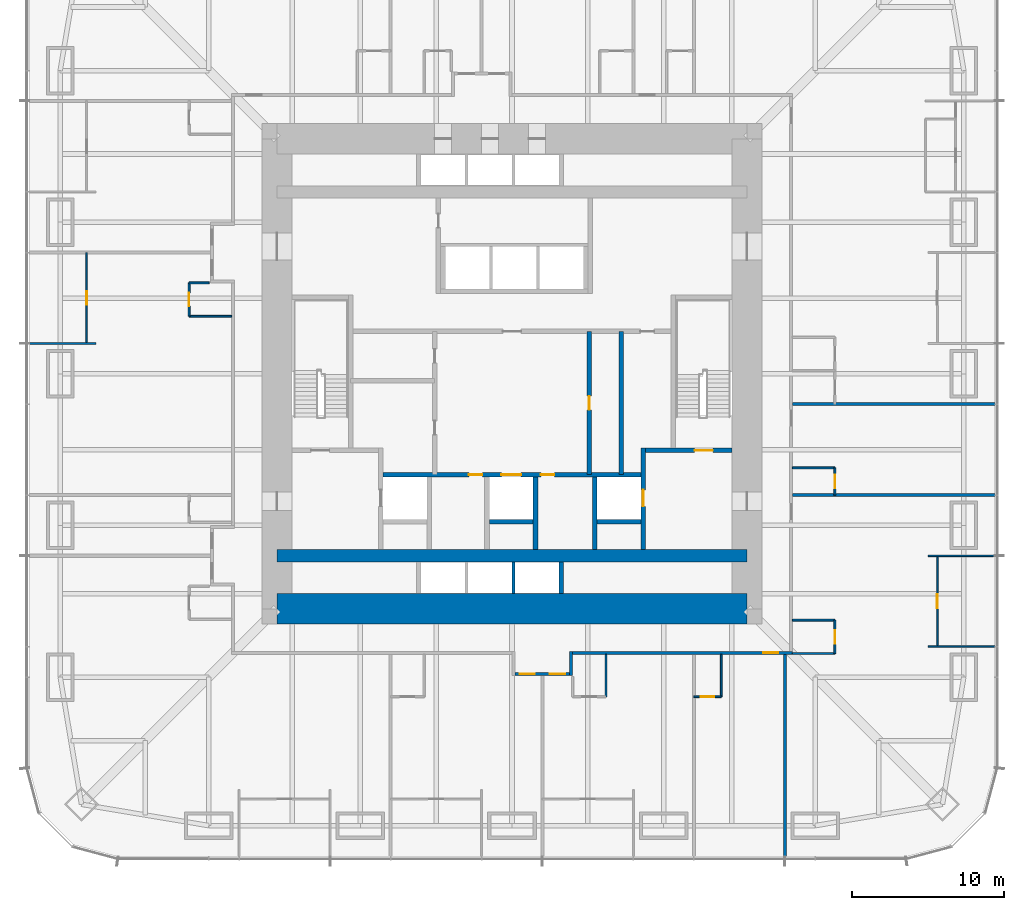
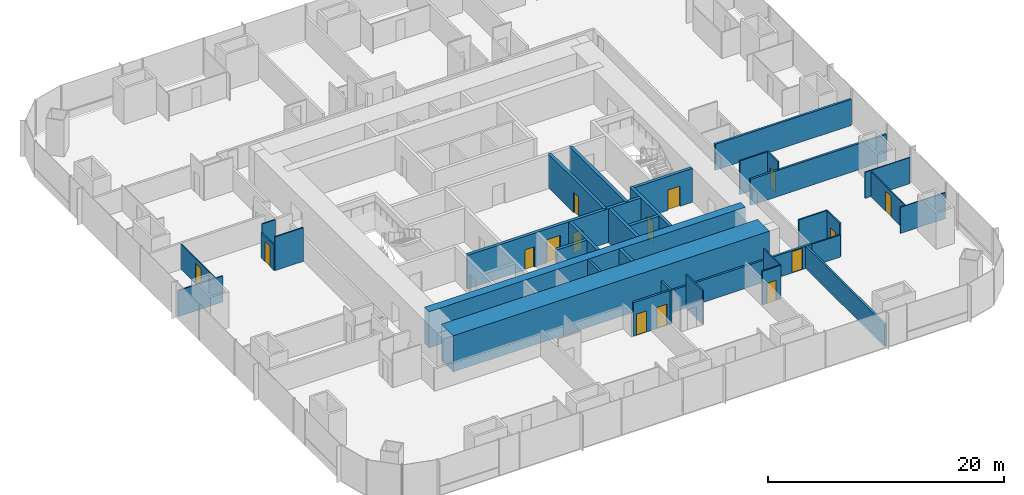
# One storey, part 16 of 20: 35 walls, 15 doors, 15 openings.
"""IFC4 building model written with IfcOpenShell, lengths in metres."""

from ifc_helpers import new_model, si_unit, direction, frame, frame_2d, origin, place, context, subcontext, project, spatial, rectangle, extrude, material, layer, layer_set, type_object, element, fill, save


model = new_model("IFC4")

# Units and contexts
model_context = context("Model", 3, precision=1e-05, world=origin(), true_north=direction((0.0, 1.0)))
body_context = subcontext(model_context, "Body", "Model", "MODEL_VIEW")
ifc_project = project(units=[si_unit("LENGTHUNIT", "METRE"), si_unit("AREAUNIT", "SQUARE_METRE"), si_unit("VOLUMEUNIT", "CUBIC_METRE"), si_unit("PLANEANGLEUNIT", "RADIAN"), si_unit("MASSUNIT", "GRAM", prefix="KILO")], contexts=[model_context])

# Site, building, storey
site_placement = place(None, origin())
site = spatial("IfcSite", under=ifc_project, at=site_placement, CompositionType="ELEMENT")
building_placement = place(site_placement, origin())
building = spatial("IfcBuilding", under=site, at=building_placement, Name="Khuree Lantern Residences", CompositionType="ELEMENT")
storey_placement = place(building_placement, frame((0.0, 0.0, 28.5)))
storey = spatial("IfcBuildingStorey", under=building, at=storey_placement, Name="L06", CompositionType="ELEMENT", Elevation=28.5)

# Wall, opening, door
ifc_material_1 = material(Name="Moisture-resistant gypsum board on steel studs", Category="steel")
ifc_layer_1 = layer(ifc_material_1, 0.125)
ifc_layer_set_1 = layer_set([ifc_layer_1], Name="BATHROOM WALL BTW125")
wall_type_1 = type_object("IfcWallType", Name="BATHROOM WALL BTW125", PredefinedType="PARTITIONING", material=ifc_layer_set_1)
wall_1_placement = place(storey_placement, frame((21.300048828125, -8.0, 0.0), z_axis=(0.0, 0.0, 1.0), x_axis=(0.0, 1.0, 0.0)))
wall_1 = element("IfcWall", 1, at=wall_1_placement, inside=storey, type_object=wall_type_1, Name="L06 BATHROOM WALL 01", PredefinedType="PARTITIONING", context=body_context, shape_type="SweptSolid", body=[
    extrude(rectangle(XDim=1.800048828125, YDim=0.125, at=frame_2d((0.89990234375, 0.0))), origin(), (0.0, 0.0, 1.0), 3.5),
])
opening_1_placement = place(wall_1_placement, frame((0.449951171875, 0.0, 0.0)))
opening_1 = element("IfcOpeningElement", 2, at=opening_1_placement, cuts=wall_1, Name="Opening 06-021", PredefinedType="OPENING", context=body_context, shape_type="SweptSolid", body=[
    extrude(rectangle(XDim=0.89990234375, YDim=2.10009765625, at=frame_2d((0.449951171875, 1.050048828125))), frame((0.0, 0.072509765625, 0.0), z_axis=(0.0, -1.0, 0.0), x_axis=(1.0, 0.0, 0.0)), (0.0, 0.0, 1.0), 0.14501953125),
])
ifc_material_2 = material(Name="Timber door leaf in hardwood frame", Category="wood")
door_type_1 = type_object("IfcDoorType", Name="BATHROOM DOOR 900X2100", OperationType="SINGLE_SWING_LEFT", PredefinedType="DOOR", material=ifc_material_2)
door_1_placement = place(opening_1_placement, origin())
door_1 = element("IfcDoor", 3, at=door_1_placement, inside=storey, type_object=door_type_1, Name="Bathroom door 06-021", OperationType="SINGLE_SWING_LEFT", OverallHeight=2.10009765625, OverallWidth=0.89990234375, PredefinedType="DOOR", context=body_context, shape_type="SweptSolid", body=[
    extrude(rectangle(XDim=0.89990234375, YDim=2.10009765625, at=frame_2d((0.449951171875, 1.050048828125))), frame((0.0, 0.02490234375, 0.0), z_axis=(0.0, -1.0, 0.0), x_axis=(1.0, 0.0, 0.0)), (0.0, 0.0, 1.0), 0.050048828125),
])
fill(opening_1, door_1)

# Wall
wall_2_placement = place(storey_placement, frame((18.5, -6.199951171875, 0.0), z_axis=(0.0, 0.0, 1.0), x_axis=(1.0, 0.0, 0.0)))
element("IfcWall", 4, at=wall_2_placement, inside=storey, type_object=wall_type_1, Name="L06 BATHROOM WALL 01", PredefinedType="PARTITIONING", context=body_context, shape_type="SweptSolid", body=[
    extrude(rectangle(XDim=2.800048828125, YDim=0.125, at=frame_2d((1.39990234375, 0.0))), origin(), (0.0, 0.0, 1.0), 3.5),
])

# Wall, opening, door
wall_3_placement = place(storey_placement, frame((-21.300048828125, 6.0, 0.0), z_axis=(0.0, 0.0, 1.0), x_axis=(0.0, -1.0, 0.0)))
wall_3 = element("IfcWall", 5, at=wall_3_placement, inside=storey, type_object=wall_type_1, Name="L06 BATHROOM WALL 08", PredefinedType="PARTITIONING", context=body_context, shape_type="SweptSolid", body=[
    extrude(rectangle(XDim=2.199951171875, YDim=0.125, at=frame_2d((1.10009765625, 0.0))), origin(), (0.0, 0.0, 1.0), 2.610107421875),
])
opening_2_placement = place(wall_3_placement, frame((0.64990234375, 0.0, 0.0)))
opening_2 = element("IfcOpeningElement", 6, at=opening_2_placement, cuts=wall_3, Name="Opening 06-045", PredefinedType="OPENING", context=body_context, shape_type="SweptSolid", body=[
    extrude(rectangle(XDim=0.89990234375, YDim=2.10009765625, at=frame_2d((0.449951171875, 1.050048828125))), frame((0.0, 0.072509765625, 0.0), z_axis=(0.0, -1.0, 0.0), x_axis=(1.0, 0.0, 0.0)), (0.0, 0.0, 1.0), 0.14501953125),
])
door_2_placement = place(opening_2_placement, origin())
door_2 = element("IfcDoor", 7, at=door_2_placement, inside=storey, type_object=door_type_1, Name="Bathroom door 06-045", OperationType="SINGLE_SWING_LEFT", OverallHeight=2.10009765625, OverallWidth=0.89990234375, PredefinedType="DOOR", context=body_context, shape_type="SweptSolid", body=[
    extrude(rectangle(XDim=0.89990234375, YDim=2.10009765625, at=frame_2d((0.449951171875, 1.050048828125))), frame((0.0, 0.02490234375, 0.0), z_axis=(0.0, -1.0, 0.0), x_axis=(1.0, 0.0, 0.0)), (0.0, 0.0, 1.0), 0.050048828125),
])
fill(opening_2, door_2)

# Walls
wall_4_placement = place(storey_placement, frame((-19.969970703125, 6.0, 0.0), z_axis=(0.0, 0.0, 1.0), x_axis=(-1.0, 0.0, 0.0)))
element("IfcWall", 8, at=wall_4_placement, inside=storey, type_object=wall_type_1, Name="L06 BATHROOM WALL 08", PredefinedType="PARTITIONING", context=body_context, shape_type="SweptSolid", body=[
    extrude(rectangle(XDim=1.330078125, YDim=0.125, at=frame_2d((0.6650390625, 0.0))), origin(), (0.0, 0.0, 1.0), 3.5),
])
for number, where, z_axis, x_axis, name in (
    (9, (-18.5, 3.800048828125, 0.0), (0.0, 0.0, 1.0), (-1.0, 0.0, 0.0), "L06 BATHROOM WALL 08"),
    (10, (6.199951171875, -18.5, 0.0), (0.0, 0.0, 1.0), (0.0, -1.0, 0.0), "L06 BATHROOM WALL 12"),
):
    element("IfcWall", number, at=place(storey_placement, frame(where, z_axis=z_axis, x_axis=x_axis)), inside=storey, type_object=wall_type_1, Name=name, PredefinedType="PARTITIONING", context=body_context, shape_type="SweptSolid", body=[
        extrude(rectangle(XDim=2.800048828125, YDim=0.125, at=frame_2d((1.39990234375, 0.0))), origin(), (0.0, 0.0, 1.0), 3.5),
    ])

# Wall, opening, door
wall_5_placement = place(storey_placement, frame((12.0, -21.300048828125, 0.0), z_axis=(0.0, 0.0, 1.0), x_axis=(1.0, 0.0, 0.0)))
wall_5 = element("IfcWall", 11, at=wall_5_placement, inside=storey, type_object=wall_type_1, Name="L06 BATHROOM WALL 13", PredefinedType="PARTITIONING", context=body_context, shape_type="SweptSolid", body=[
    extrude(rectangle(XDim=1.800048828125, YDim=0.125, at=frame_2d((0.89990234375, 0.0))), origin(), (0.0, 0.0, 1.0), 3.5),
])
opening_3_placement = place(wall_5_placement, frame((0.449951171875, 0.0, 0.0)))
opening_3 = element("IfcOpeningElement", 12, at=opening_3_placement, cuts=wall_5, Name="Opening 06-058", PredefinedType="OPENING", context=body_context, shape_type="SweptSolid", body=[
    extrude(rectangle(XDim=0.89990234375, YDim=2.10009765625, at=frame_2d((0.449951171875, 1.050048828125))), frame((0.0, 0.072509765625, 0.0), z_axis=(0.0, -1.0, 0.0), x_axis=(1.0, 0.0, 0.0)), (0.0, 0.0, 1.0), 0.14501953125),
])
door_3_placement = place(opening_3_placement, origin())
door_3 = element("IfcDoor", 13, at=door_3_placement, inside=storey, type_object=door_type_1, Name="Bathroom door 06-058", OperationType="SINGLE_SWING_LEFT", OverallHeight=2.10009765625, OverallWidth=0.89990234375, PredefinedType="DOOR", context=body_context, shape_type="SweptSolid", body=[
    extrude(rectangle(XDim=0.89990234375, YDim=2.10009765625, at=frame_2d((0.449951171875, 1.050048828125))), frame((0.0, 0.02490234375, 0.0), z_axis=(0.0, -1.0, 0.0), x_axis=(1.0, 0.0, 0.0)), (0.0, 0.0, 1.0), 0.050048828125),
])
fill(opening_3, door_3)

# Wall
wall_6_placement = place(storey_placement, frame((13.800048828125, -18.5, 0.0), z_axis=(0.0, 0.0, 1.0), x_axis=(0.0, -1.0, 0.0)))
element("IfcWall", 14, at=wall_6_placement, inside=storey, type_object=wall_type_1, Name="L06 BATHROOM WALL 13", PredefinedType="PARTITIONING", context=body_context, shape_type="SweptSolid", body=[
    extrude(rectangle(XDim=2.800048828125, YDim=0.125, at=frame_2d((1.39990234375, 0.0))), origin(), (0.0, 0.0, 1.0), 3.5),
])

# Wall, opening, door
wall_7_placement = place(storey_placement, frame((21.300048828125, -18.449951171875, 0.0), z_axis=(0.0, 0.0, 1.0), x_axis=(0.0, 1.0, 0.0)))
wall_7 = element("IfcWall", 15, at=wall_7_placement, inside=storey, type_object=wall_type_1, Name="L06 BATHROOM WALL 14", PredefinedType="PARTITIONING", context=body_context, shape_type="SweptSolid", body=[
    extrude(rectangle(XDim=2.199951171875, YDim=0.125, at=frame_2d((1.10009765625, 0.0))), origin(), (0.0, 0.0, 1.0), 3.5),
])
opening_4_placement = place(wall_7_placement, frame((0.64990234375, 0.0, 0.0)))
opening_4 = element("IfcOpeningElement", 16, at=opening_4_placement, cuts=wall_7, Name="Opening 06-061", PredefinedType="OPENING", context=body_context, shape_type="SweptSolid", body=[
    extrude(rectangle(XDim=0.89990234375, YDim=2.10009765625, at=frame_2d((0.449951171875, 1.050048828125))), frame((0.0, 0.072509765625, 0.0), z_axis=(0.0, -1.0, 0.0), x_axis=(1.0, 0.0, 0.0)), (0.0, 0.0, 1.0), 0.14501953125),
])
door_4_placement = place(opening_4_placement, origin())
door_4 = element("IfcDoor", 17, at=door_4_placement, inside=storey, type_object=door_type_1, Name="Bathroom door 06-061", OperationType="SINGLE_SWING_LEFT", OverallHeight=2.10009765625, OverallWidth=0.89990234375, PredefinedType="DOOR", context=body_context, shape_type="SweptSolid", body=[
    extrude(rectangle(XDim=0.89990234375, YDim=2.10009765625, at=frame_2d((0.449951171875, 1.050048828125))), frame((0.0, 0.02490234375, 0.0), z_axis=(0.0, -1.0, 0.0), x_axis=(1.0, 0.0, 0.0)), (0.0, 0.0, 1.0), 0.050048828125),
])
fill(opening_4, door_4)

# Walls
wall_8_placement = place(storey_placement, frame((18.5, -18.449951171875, 0.0), z_axis=(0.0, 0.0, 1.0), x_axis=(1.0, 0.0, 0.0)))
element("IfcWall", 18, at=wall_8_placement, inside=storey, type_object=wall_type_1, Name="L06 BATHROOM WALL 14", PredefinedType="PARTITIONING", context=body_context, shape_type="SweptSolid", body=[
    extrude(rectangle(XDim=2.800048828125, YDim=0.125, at=frame_2d((1.39990234375, 0.0))), origin(), (0.0, 0.0, 1.0), 2.300048828125),
])
wall_9_placement = place(storey_placement, frame((18.5, -16.25, 0.0), z_axis=(0.0, 0.0, 1.0), x_axis=(1.0, 0.0, 0.0)))
element("IfcWall", 19, at=wall_9_placement, inside=storey, type_object=wall_type_1, Name="L06 BATHROOM WALL 14", PredefinedType="PARTITIONING", context=body_context, shape_type="SweptSolid", body=[
    extrude(rectangle(XDim=2.800048828125, YDim=0.125, at=frame_2d((1.39990234375, 0.0))), origin(), (0.0, 0.0, 1.0), 3.5),
])

# Wall, opening, door
ifc_material_3 = material(Name="Dense concrete blockwork", Category="masonry")
ifc_layer_2 = layer(ifc_material_3, 0.300048828125)
ifc_layer_set_2 = layer_set([ifc_layer_2], Name="CORE PARTITION WALL CPW300 EI 120")
wall_type_2 = type_object("IfcWallType", Name="CORE PARTITION WALL CPW300 EI 120", PredefinedType="PARTITIONING", material=ifc_layer_set_2)
wall_10_placement = place(storey_placement, frame((8.64990234375, -11.60009765625, 0.0), z_axis=(0.0, 0.0, 1.0), x_axis=(0.0, 1.0, 0.0)))
wall_10 = element("IfcWall", 20, at=wall_10_placement, inside=storey, type_object=wall_type_2, Name="L06 CORE WALL FL2E", PredefinedType="PARTITIONING", context=body_context, shape_type="SweptSolid", body=[
    extrude(rectangle(XDim=6.7001953125, YDim=0.300048828125, at=frame_2d((3.35009765625, 0.0))), origin(), (0.0, 0.0, 1.0), 3.5),
])
opening_5_placement = place(wall_10_placement, frame((2.85009765625, 0.0, 0.0)))
opening_5 = element("IfcOpeningElement", 21, at=opening_5_placement, cuts=wall_10, Name="Opening 06-008", PredefinedType="OPENING", context=body_context, shape_type="SweptSolid", body=[
    extrude(rectangle(XDim=1.10009765625, YDim=2.10009765625, at=frame_2d((0.550048828125, 1.050048828125))), frame((0.0, 0.16015625, 0.0), z_axis=(0.0, -1.0, 0.0), x_axis=(1.0, 0.0, 0.0)), (0.0, 0.0, 1.0), 0.320068359375),
])
ifc_material_4 = material(Name="Stainless steel lift landing door", Category="steel")
door_type_2 = type_object("IfcDoorType", Name="LIFT LANDING DOOR 1100X2100 E 120", OperationType="DOUBLE_DOOR_SLIDING", PredefinedType="DOOR", material=ifc_material_4)
door_5_placement = place(opening_5_placement, origin())
door_5 = element("IfcDoor", 22, at=door_5_placement, inside=storey, type_object=door_type_2, Name="Landing door FL2 06-008", OperationType="DOUBLE_DOOR_SLIDING", OverallHeight=2.10009765625, OverallWidth=1.10009765625, PredefinedType="DOOR", context=body_context, shape_type="SweptSolid", body=[
    extrude(rectangle(XDim=1.10009765625, YDim=2.10009765625, at=frame_2d((0.550048828125, 1.050048828125))), frame((0.0, 0.02490234375, 0.0), z_axis=(0.0, -1.0, 0.0), x_axis=(1.0, 0.0, 0.0)), (0.0, 0.0, 1.0), 0.050048828125),
])
fill(opening_5, door_5)

# Wall, openings, doors
wall_11_placement = place(storey_placement, frame((-8.5, -6.64990234375, 0.0), z_axis=(0.0, 0.0, 1.0), x_axis=(1.0, 0.0, 0.0)))
wall_11 = element("IfcWall", 23, at=wall_11_placement, inside=storey, type_object=wall_type_2, Name="L06 CORE WALL FLROW", PredefinedType="PARTITIONING", context=body_context, shape_type="SweptSolid", body=[
    extrude(rectangle(XDim=17.0, YDim=0.300048828125, at=frame_2d((8.5, 0.0))), origin(), (0.0, 0.0, 1.0), 3.5),
])
opening_6_placement = place(wall_11_placement, frame((7.800048828125, 0.0, 0.0)))
opening_6 = element("IfcOpeningElement", 24, at=opening_6_placement, cuts=wall_11, Name="Opening 06-012", PredefinedType="OPENING", context=body_context, shape_type="SweptSolid", body=[
    extrude(rectangle(XDim=1.300048828125, YDim=2.39990234375, at=frame_2d((0.64990234375, 1.199951171875))), frame((0.0, 0.16015625, 0.0), z_axis=(0.0, -1.0, 0.0), x_axis=(1.0, 0.0, 0.0)), (0.0, 0.0, 1.0), 0.320068359375),
])
opening_7_placement = place(wall_11_placement, frame((5.64990234375, 0.0, 0.0)))
opening_7 = element("IfcOpeningElement", 25, at=opening_7_placement, cuts=wall_11, Name="Opening 06-014", PredefinedType="OPENING", context=body_context, shape_type="SweptSolid", body=[
    extrude(rectangle(XDim=0.89990234375, YDim=2.10009765625, at=frame_2d((0.449951171875, 1.050048828125))), frame((0.0, 0.16015625, 0.0), z_axis=(0.0, -1.0, 0.0), x_axis=(1.0, 0.0, 0.0)), (0.0, 0.0, 1.0), 0.320068359375),
])
opening_8_placement = place(wall_11_placement, frame((10.39990234375, 0.0, 0.0)))
opening_8 = element("IfcOpeningElement", 26, at=opening_8_placement, cuts=wall_11, Name="Opening 06-015", PredefinedType="OPENING", context=body_context, shape_type="SweptSolid", body=[
    extrude(rectangle(XDim=0.89990234375, YDim=2.10009765625, at=frame_2d((0.449951171875, 1.050048828125))), frame((0.0, 0.16015625, 0.0), z_axis=(0.0, -1.0, 0.0), x_axis=(1.0, 0.0, 0.0)), (0.0, 0.0, 1.0), 0.320068359375),
])
ifc_material_5 = material(Name="Steel door leaf in steel frame", Category="steel")
door_type_3 = type_object("IfcDoorType", Name="DOOR 900X2100 EI 60", OperationType="SINGLE_SWING_LEFT", PredefinedType="DOOR", material=ifc_material_5)
door_6_placement = place(opening_7_placement, origin())
door_6 = element("IfcDoor", 27, at=door_6_placement, inside=storey, type_object=door_type_3, Name="Refuse chute room door 06-014", OperationType="SINGLE_SWING_LEFT", OverallHeight=2.10009765625, OverallWidth=0.89990234375, PredefinedType="DOOR", context=body_context, shape_type="SweptSolid", body=[
    extrude(rectangle(XDim=0.89990234375, YDim=2.10009765625, at=frame_2d((0.449951171875, 1.050048828125))), frame((0.0, 0.02490234375, 0.0), z_axis=(0.0, -1.0, 0.0), x_axis=(1.0, 0.0, 0.0)), (0.0, 0.0, 1.0), 0.050048828125),
])
fill(opening_7, door_6)
door_type_4 = type_object("IfcDoorType", Name="DOOR 900X2100 EI 60 RIGHT HAND", OperationType="SINGLE_SWING_RIGHT", PredefinedType="DOOR", material=ifc_material_5)
door_7_placement = place(opening_8_placement, origin())
door_7 = element("IfcDoor", 28, at=door_7_placement, inside=storey, type_object=door_type_4, Name="Electrical and plumbing riser door 06-015", OperationType="SINGLE_SWING_RIGHT", OverallHeight=2.10009765625, OverallWidth=0.89990234375, PredefinedType="DOOR", context=body_context, shape_type="SweptSolid", body=[
    extrude(rectangle(XDim=0.89990234375, YDim=2.10009765625, at=frame_2d((0.449951171875, 1.050048828125))), frame((0.0, 0.02490234375, 0.0), z_axis=(0.0, -1.0, 0.0), x_axis=(1.0, 0.0, 0.0)), (0.0, 0.0, 1.0), 0.050048828125),
])
fill(opening_8, door_7)
door_type_5 = type_object("IfcDoorType", Name="LIFT LANDING DOOR 1300X2400 E 60", OperationType="DOUBLE_DOOR_SLIDING", PredefinedType="DOOR", material=ifc_material_4)
door_8_placement = place(opening_6_placement, origin())
door_8 = element("IfcDoor", 29, at=door_8_placement, inside=storey, type_object=door_type_5, Name="Landing door SL1 06-012", OperationType="DOUBLE_DOOR_SLIDING", OverallHeight=2.39990234375, OverallWidth=1.300048828125, PredefinedType="DOOR", context=body_context, shape_type="SweptSolid", body=[
    extrude(rectangle(XDim=1.300048828125, YDim=2.39990234375, at=frame_2d((0.64990234375, 1.199951171875))), frame((0.0, 0.02490234375, 0.0), z_axis=(0.0, -1.0, 0.0), x_axis=(1.0, 0.0, 0.0)), (0.0, 0.0, 1.0), 0.050048828125),
])
fill(opening_6, door_8)

# Walls
for number, where, z_axis, x_axis, name in (
    (30, (1.550048828125, -11.60009765625, 0.0), (0.0, 0.0, 1.0), (0.0, 1.0, 0.0), "L06 CORE WALL SL1E"),
    (31, (5.449951171875, -11.60009765625, 0.0), (0.0, 0.0, 1.0), (0.0, 1.0, 0.0), "L06 CORE WALL FL2W"),
):
    element("IfcWall", number, at=place(storey_placement, frame(where, z_axis=z_axis, x_axis=x_axis)), inside=storey, type_object=wall_type_2, Name=name, PredefinedType="PARTITIONING", context=body_context, shape_type="SweptSolid", body=[
        extrude(rectangle(XDim=4.800048828125, YDim=0.300048828125, at=frame_2d((2.39990234375, 0.0))), origin(), (0.0, 0.0, 1.0), 3.5),
    ])
for number, where, z_axis, x_axis, name in (
    (32, (-1.5, -9.75, 0.0), (0.0, 0.0, 1.0), (1.0, 0.0, 0.0), "L06 CORE WALL SL1S"),
    (33, (5.60009765625, -9.75, 0.0), (0.0, 0.0, 1.0), (1.0, 0.0, 0.0), "L06 CORE WALL FL2S"),
):
    element("IfcWall", number, at=place(storey_placement, frame(where, z_axis=z_axis, x_axis=x_axis)), inside=storey, type_object=wall_type_2, Name=name, PredefinedType="PARTITIONING", context=body_context, shape_type="SweptSolid", body=[
        extrude(rectangle(XDim=2.89990234375, YDim=0.300048828125, at=frame_2d((1.449951171875, 0.0))), origin(), (0.0, 0.0, 1.0), 3.5),
    ])
wall_12_placement = place(storey_placement, frame((3.25, -14.5, 0.0), z_axis=(0.0, 0.0, 1.0), x_axis=(0.0, 1.0, 0.0)))
element("IfcWall", 34, at=wall_12_placement, inside=storey, type_object=wall_type_2, Name="L06 CORE WALL PME", PredefinedType="PARTITIONING", context=body_context, shape_type="SweptSolid", body=[
    extrude(rectangle(XDim=2.10009765625, YDim=0.300048828125, at=frame_2d((1.050048828125, 0.0))), origin(), (0.0, 0.0, 1.0), 3.5),
])

# Wall, opening, door
wall_13_placement = place(storey_placement, frame((5.10009765625, -6.64990234375, 0.0), z_axis=(0.0, 0.0, 1.0), x_axis=(0.0, 1.0, 0.0)))
wall_13 = element("IfcWall", 35, at=wall_13_placement, inside=storey, type_object=wall_type_2, Name="L06 CORE WALL SVE", PredefinedType="PARTITIONING", context=body_context, shape_type="SweptSolid", body=[
    extrude(rectangle(XDim=9.449951171875, YDim=0.300048828125, at=frame_2d((4.72509765625, 0.0))), origin(), (0.0, 0.0, 1.0), 3.5),
])
opening_9_placement = place(wall_13_placement, frame((4.27490234375, 0.0, 0.0)))
opening_9 = element("IfcOpeningElement", 36, at=opening_9_placement, cuts=wall_13, Name="Opening 06-018", PredefinedType="OPENING", context=body_context, shape_type="SweptSolid", body=[
    extrude(rectangle(XDim=0.89990234375, YDim=2.10009765625, at=frame_2d((0.449951171875, 1.050048828125))), frame((0.0, 0.16015625, 0.0), z_axis=(0.0, -1.0, 0.0), x_axis=(1.0, 0.0, 0.0)), (0.0, 0.0, 1.0), 0.320068359375),
])
door_type_6 = type_object("IfcDoorType", Name="DOOR 900X2100", OperationType="SINGLE_SWING_LEFT", PredefinedType="DOOR", material=ifc_material_2)
door_9_placement = place(opening_9_placement, origin())
door_9 = element("IfcDoor", 37, at=door_9_placement, inside=storey, type_object=door_type_6, Name="Parcel room door 06-018", OperationType="SINGLE_SWING_LEFT", OverallHeight=2.10009765625, OverallWidth=0.89990234375, PredefinedType="DOOR", context=body_context, shape_type="SweptSolid", body=[
    extrude(rectangle(XDim=0.89990234375, YDim=2.10009765625, at=frame_2d((0.449951171875, 1.050048828125))), frame((0.0, 0.02490234375, 0.0), z_axis=(0.0, -1.0, 0.0), x_axis=(1.0, 0.0, 0.0)), (0.0, 0.0, 1.0), 0.050048828125),
])
fill(opening_9, door_9)

# Wall
wall_14_placement = place(storey_placement, frame((7.193115234375, -6.64990234375, 0.0), z_axis=(0.0, 0.0, 1.0), x_axis=(0.0, 1.0, 0.0)))
element("IfcWall", 38, at=wall_14_placement, inside=storey, type_object=wall_type_2, Name="L06 CORE WALL EV", PredefinedType="PARTITIONING", context=body_context, shape_type="SweptSolid", body=[
    extrude(rectangle(XDim=9.449951171875, YDim=0.300048828125, at=frame_2d((4.72509765625, 0.0))), origin(), (0.0, 0.0, 1.0), 3.5),
])

# Wall, opening, door
ifc_material_6 = material(Name="Gypsum board on steel studs", Category="steel")
ifc_layer_3 = layer(ifc_material_6, 0.199951171875)
ifc_layer_set_3 = layer_set([ifc_layer_3], Name="CORRIDOR WALL CRW200 EI 60")
wall_type_3 = type_object("IfcWallType", Name="CORRIDOR WALL CRW200 EI 60", PredefinedType="PARTITIONING", material=ifc_layer_set_3)
wall_15_placement = place(storey_placement, frame((18.5, -18.39990234375, 0.0), z_axis=(0.0, 0.0, 1.0), x_axis=(-1.0, 0.0, 0.0)))
wall_15 = element("IfcWall", 39, at=wall_15_placement, inside=storey, type_object=wall_type_3, Name="L06 CORRIDOR WALL SOUTH 1", PredefinedType="PARTITIONING", context=body_context, shape_type="SweptSolid", body=[
    extrude(rectangle(XDim=14.5, YDim=0.199951171875, at=frame_2d((7.25, 0.0))), origin(), (0.0, 0.0, 1.0), 2.300048828125),
])
opening_10_placement = place(wall_15_placement, frame((0.929931640625, 0.0, 0.0)))
opening_10 = element("IfcOpeningElement", 40, at=opening_10_placement, cuts=wall_15, Name="Opening 06-059", PredefinedType="OPENING", context=body_context, shape_type="SweptSolid", body=[
    extrude(rectangle(XDim=1.0, YDim=2.199951171875, at=frame_2d((0.5, 1.10009765625))), frame((0.0, 0.10986328125, 0.0), z_axis=(0.0, -1.0, 0.0), x_axis=(1.0, 0.0, 0.0)), (0.0, 0.0, 1.0), 0.219970703125),
])
door_type_7 = type_object("IfcDoorType", Name="APARTMENT ENTRANCE DOOR 1000X2200 EI 30S", OperationType="SINGLE_SWING_LEFT", PredefinedType="DOOR", material=ifc_material_2)
door_10_placement = place(opening_10_placement, origin())
door_10 = element("IfcDoor", 41, at=door_10_placement, inside=storey, type_object=door_type_7, Name="Apartment 13 entrance door 06-059", OperationType="SINGLE_SWING_LEFT", OverallHeight=2.199951171875, OverallWidth=1.0, PredefinedType="DOOR", context=body_context, shape_type="SweptSolid", body=[
    extrude(rectangle(XDim=1.0, YDim=2.199951171875, at=frame_2d((0.5, 1.10009765625))), frame((0.0, 0.02490234375, 0.0), z_axis=(0.0, -1.0, 0.0), x_axis=(1.0, 0.0, 0.0)), (0.0, 0.0, 1.0), 0.050048828125),
])
fill(opening_10, door_10)

# Wall
wall_16_placement = place(storey_placement, frame((3.89990234375, -18.300048828125, 0.0), z_axis=(0.0, 0.0, 1.0), x_axis=(0.0, -1.0, 0.0)))
element("IfcWall", 42, at=wall_16_placement, inside=storey, type_object=wall_type_3, Name="L06 CORRIDOR ALCOVE WALL SOUTH", PredefinedType="PARTITIONING", context=body_context, shape_type="SweptSolid", body=[
    extrude(rectangle(XDim=1.599853515625, YDim=0.199951171875, at=frame_2d((0.7998046875, 0.0))), origin(), (0.0, 0.0, 1.0), 3.5),
])

# Wall, openings, doors
wall_17_placement = place(storey_placement, frame((3.800048828125, -19.800048828125, 0.0), z_axis=(0.0, 0.0, 1.0), x_axis=(-1.0, 0.0, 0.0)))
wall_17 = element("IfcWall", 43, at=wall_17_placement, inside=storey, type_object=wall_type_3, Name="L06 CORRIDOR ALCOVE WALL SOUTH", PredefinedType="PARTITIONING", context=body_context, shape_type="SweptSolid", body=[
    extrude(rectangle(XDim=3.60009765625, YDim=0.199951171875, at=frame_2d((1.800048828125, 0.0))), origin(), (0.0, 0.0, 1.0), 3.5),
])
opening_11_placement = place(wall_17_placement, frame((2.300048828125, 0.0, 0.0)))
opening_11 = element("IfcOpeningElement", 44, at=opening_11_placement, cuts=wall_17, Name="Opening 06-054", PredefinedType="OPENING", context=body_context, shape_type="SweptSolid", body=[
    extrude(rectangle(XDim=1.0, YDim=2.199951171875, at=frame_2d((0.5, 1.10009765625))), frame((0.0, 0.10986328125, 0.0), z_axis=(0.0, -1.0, 0.0), x_axis=(1.0, 0.0, 0.0)), (0.0, 0.0, 1.0), 0.219970703125),
])
opening_12_placement = place(wall_17_placement, frame((0.300048828125, 0.0, 0.0)))
opening_12 = element("IfcOpeningElement", 45, at=opening_12_placement, cuts=wall_17, Name="Opening 06-057", PredefinedType="OPENING", context=body_context, shape_type="SweptSolid", body=[
    extrude(rectangle(XDim=1.0, YDim=2.199951171875, at=frame_2d((0.5, 1.10009765625))), frame((0.0, 0.10986328125, 0.0), z_axis=(0.0, -1.0, 0.0), x_axis=(1.0, 0.0, 0.0)), (0.0, 0.0, 1.0), 0.219970703125),
])
door_11_placement = place(opening_11_placement, origin())
door_11 = element("IfcDoor", 46, at=door_11_placement, inside=storey, type_object=door_type_7, Name="Apartment 11 entrance door 06-054", OperationType="SINGLE_SWING_LEFT", OverallHeight=2.199951171875, OverallWidth=1.0, PredefinedType="DOOR", context=body_context, shape_type="SweptSolid", body=[
    extrude(rectangle(XDim=1.0, YDim=2.199951171875, at=frame_2d((0.5, 1.10009765625))), frame((0.0, 0.02490234375, 0.0), z_axis=(0.0, -1.0, 0.0), x_axis=(1.0, 0.0, 0.0)), (0.0, 0.0, 1.0), 0.050048828125),
])
fill(opening_11, door_11)
door_12_placement = place(opening_12_placement, origin())
door_12 = element("IfcDoor", 47, at=door_12_placement, inside=storey, type_object=door_type_7, Name="Apartment 12 entrance door 06-057", OperationType="SINGLE_SWING_LEFT", OverallHeight=2.199951171875, OverallWidth=1.0, PredefinedType="DOOR", context=body_context, shape_type="SweptSolid", body=[
    extrude(rectangle(XDim=1.0, YDim=2.199951171875, at=frame_2d((0.5, 1.10009765625))), frame((0.0, 0.02490234375, 0.0), z_axis=(0.0, -1.0, 0.0), x_axis=(1.0, 0.0, 0.0)), (0.0, 0.0, 1.0), 0.050048828125),
])
fill(opening_12, door_12)

# Walls
ifc_material_7 = material(Name="Concrete C70/85", Category="concrete")
ifc_layer_4 = layer(ifc_material_7, 2.0)
ifc_layer_set_4 = layer_set([ifc_layer_4], Name="CW2000-C70 CORE WALL C70 2000")
wall_type_4 = type_object("IfcWallType", Name="CW2000-C70 CORE WALL C70 2000", PredefinedType="SHEAR", material=ifc_layer_set_4)
wall_18_placement = place(storey_placement, frame((-15.5, -15.5, -0.25), z_axis=(0.0, 0.0, 1.0), x_axis=(1.0, 0.0, 0.0)))
element("IfcWall", 48, at=wall_18_placement, inside=storey, type_object=wall_type_4, Name="Core wall S", PredefinedType="SHEAR", context=body_context, shape_type="SweptSolid", body=[
    extrude(rectangle(XDim=31.0, YDim=2.0, at=frame_2d((15.5, 0.0))), origin(), (0.0, 0.0, 1.0), 3.75),
])
ifc_layer_5 = layer(ifc_material_6, 0.199951171875)
ifc_layer_set_5 = layer_set([ifc_layer_5], Name="DEMISING WALL DMW200 EI 90")
wall_type_5 = type_object("IfcWallType", Name="DEMISING WALL DMW200 EI 90", PredefinedType="PARTITIONING", material=ifc_layer_set_5)
for number, where, z_axis, x_axis, name in (
    (49, (18.5, -8.0, 0.0), (0.0, 0.0, 1.0), (1.0, 0.0, 0.0), "L06 DEMISING WALL 01"),
    (50, (18.5, -2.0, 0.0), (0.0, 0.0, 1.0), (1.0, 0.0, 0.0), "L06 DEMISING WALL 02"),
):
    element("IfcWall", number, at=place(storey_placement, frame(where, z_axis=z_axis, x_axis=x_axis)), inside=storey, type_object=wall_type_5, Name=name, PredefinedType="PARTITIONING", context=body_context, shape_type="SweptSolid", body=[
        extrude(rectangle(XDim=13.35009765625, YDim=0.199951171875, at=frame_2d((6.675048828125, 0.0))), origin(), (0.0, 0.0, 1.0), 2.7099609375),
    ])
wall_19_placement = place(storey_placement, frame((18.0, -18.5, 0.0), z_axis=(0.0, 0.0, 1.0), x_axis=(0.0, -1.0, 0.0)))
element("IfcWall", 51, at=wall_19_placement, inside=storey, type_object=wall_type_5, Name="L06 DEMISING WALL 14", PredefinedType="PARTITIONING", context=body_context, shape_type="SweptSolid", body=[
    extrude(rectangle(XDim=13.35009765625, YDim=0.199951171875, at=frame_2d((6.675048828125, 0.0))), origin(), (0.0, 0.0, 1.0), 2.300048828125),
])
ifc_layer_6 = layer(ifc_material_6, 0.10009765625)
ifc_layer_set_6 = layer_set([ifc_layer_6], Name="PARTITION PT100")
wall_type_6 = type_object("IfcWallType", Name="PARTITION PT100", PredefinedType="PARTITIONING", material=ifc_layer_set_6)
for number, where, z_axis, x_axis, name in (
    (52, (-27.449951171875, 2.0, 0.0), (0.0, 0.0, 1.0), (-1.0, 0.0, 0.0), "L06 PARTITION 08"),
    (53, (27.449951171875, -18.0, 0.0), (0.0, 0.0, 1.0), (1.0, 0.0, 0.0), "L06 PARTITION 14"),
    (54, (27.449951171875, -12.0, 0.0), (0.0, 0.0, 1.0), (1.0, 0.0, 0.0), "L06 PARTITION 14"),
):
    element("IfcWall", number, at=place(storey_placement, frame(where, z_axis=z_axis, x_axis=x_axis)), inside=storey, type_object=wall_type_6, Name=name, PredefinedType="PARTITIONING", context=body_context, shape_type="SweptSolid", body=[
        extrude(rectangle(XDim=4.400146484375, YDim=0.10009765625, at=frame_2d((2.2001953125, 0.0))), origin(), (0.0, 0.0, 1.0), 2.7099609375),
    ])

# Wall, opening, door
wall_20_placement = place(storey_placement, frame((-28.050048828125, 8.0, 0.0), z_axis=(0.0, 0.0, 1.0), x_axis=(0.0, -1.0, 0.0)))
wall_20 = element("IfcWall", 55, at=wall_20_placement, inside=storey, type_object=wall_type_6, Name="L06 PARTITION 08", PredefinedType="PARTITIONING", context=body_context, shape_type="SweptSolid", body=[
    extrude(rectangle(XDim=6.0, YDim=0.10009765625, at=frame_2d((3.0, 0.0))), origin(), (0.0, 0.0, 1.0), 2.610107421875),
])
opening_13_placement = place(wall_20_placement, frame((2.550048828125, 0.0, 0.0)))
opening_13 = element("IfcOpeningElement", 56, at=opening_13_placement, cuts=wall_20, Name="Opening 06-044", PredefinedType="OPENING", context=body_context, shape_type="SweptSolid", body=[
    extrude(rectangle(XDim=0.89990234375, YDim=2.10009765625, at=frame_2d((0.449951171875, 1.050048828125))), frame((0.0, 0.06005859375, 0.0), z_axis=(0.0, -1.0, 0.0), x_axis=(1.0, 0.0, 0.0)), (0.0, 0.0, 1.0), 0.1201171875),
])
door_type_8 = type_object("IfcDoorType", Name="BEDROOM DOOR 900X2100", OperationType="SINGLE_SWING_LEFT", PredefinedType="DOOR", material=ifc_material_2)
door_13_placement = place(opening_13_placement, origin())
door_13 = element("IfcDoor", 57, at=door_13_placement, inside=storey, type_object=door_type_8, Name="Bedroom door 06-044", OperationType="SINGLE_SWING_LEFT", OverallHeight=2.10009765625, OverallWidth=0.89990234375, PredefinedType="DOOR", context=body_context, shape_type="SweptSolid", body=[
    extrude(rectangle(XDim=0.89990234375, YDim=2.10009765625, at=frame_2d((0.449951171875, 1.050048828125))), frame((0.0, 0.02490234375, 0.0), z_axis=(0.0, -1.0, 0.0), x_axis=(1.0, 0.0, 0.0)), (0.0, 0.0, 1.0), 0.050048828125),
])
fill(opening_13, door_13)

wall_21_placement = place(storey_placement, frame((28.050048828125, -18.0, 0.0), z_axis=(0.0, 0.0, 1.0), x_axis=(0.0, 1.0, 0.0)))
wall_21 = element("IfcWall", 58, at=wall_21_placement, inside=storey, type_object=wall_type_6, Name="L06 PARTITION 14", PredefinedType="PARTITIONING", context=body_context, shape_type="SweptSolid", body=[
    extrude(rectangle(XDim=6.0, YDim=0.10009765625, at=frame_2d((3.0, 0.0))), origin(), (0.0, 0.0, 1.0), 2.610107421875),
])
opening_14_placement = place(wall_21_placement, frame((2.550048828125, 0.0, 0.0)))
opening_14 = element("IfcOpeningElement", 59, at=opening_14_placement, cuts=wall_21, Name="Opening 06-060", PredefinedType="OPENING", context=body_context, shape_type="SweptSolid", body=[
    extrude(rectangle(XDim=0.89990234375, YDim=2.10009765625, at=frame_2d((0.449951171875, 1.050048828125))), frame((0.0, 0.06005859375, 0.0), z_axis=(0.0, -1.0, 0.0), x_axis=(1.0, 0.0, 0.0)), (0.0, 0.0, 1.0), 0.1201171875),
])
door_14_placement = place(opening_14_placement, origin())
door_14 = element("IfcDoor", 60, at=door_14_placement, inside=storey, type_object=door_type_8, Name="Bedroom door 06-060", OperationType="SINGLE_SWING_LEFT", OverallHeight=2.10009765625, OverallWidth=0.89990234375, PredefinedType="DOOR", context=body_context, shape_type="SweptSolid", body=[
    extrude(rectangle(XDim=0.89990234375, YDim=2.10009765625, at=frame_2d((0.449951171875, 1.050048828125))), frame((0.0, 0.02490234375, 0.0), z_axis=(0.0, -1.0, 0.0), x_axis=(1.0, 0.0, 0.0)), (0.0, 0.0, 1.0), 0.050048828125),
])
fill(opening_14, door_14)

# Walls
ifc_layer_7 = layer(ifc_material_3, 0.199951171875)
ifc_layer_set_7 = layer_set([ifc_layer_7], Name="SHAFT WALL SHW200 EI 120")
wall_type_7 = type_object("IfcWallType", Name="SHAFT WALL SHW200 EI 120", PredefinedType="PARTITIONING", material=ifc_layer_set_7)
wall_22_placement = place(storey_placement, frame((0.10009765625, -14.5, 0.0), z_axis=(0.0, 0.0, 1.0), x_axis=(0.0, 1.0, 0.0)))
element("IfcWall", 61, at=wall_22_placement, inside=storey, type_object=wall_type_7, Name="L06 CORE WALL PMD2", PredefinedType="PARTITIONING", context=body_context, shape_type="SweptSolid", body=[
    extrude(rectangle(XDim=2.10009765625, YDim=0.199951171875, at=frame_2d((1.050048828125, 0.0))), origin(), (0.0, 0.0, 1.0), 3.5),
])
ifc_layer_8 = layer(ifc_material_7, 0.800048828125)
ifc_layer_set_8 = layer_set([ifc_layer_8], Name="SP800-C70 CORE SPINE WALL C70 800")
wall_type_8 = type_object("IfcWallType", Name="SP800-C70 CORE SPINE WALL C70 800", PredefinedType="SHEAR", material=ifc_layer_set_8)
wall_23_placement = place(storey_placement, frame((-15.5, -12.0, -0.25), z_axis=(0.0, 0.0, 1.0), x_axis=(1.0, 0.0, 0.0)))
element("IfcWall", 62, at=wall_23_placement, inside=storey, type_object=wall_type_8, Name="Core wall SPS", PredefinedType="SHEAR", context=body_context, shape_type="SweptSolid", body=[
    extrude(rectangle(XDim=31.0, YDim=0.800048828125, at=frame_2d((15.5, 0.0))), origin(), (0.0, 0.0, 1.0), 3.75),
])

# Wall, opening, door
ifc_material_8 = material(Name="Concrete C50/60", Category="concrete")
ifc_layer_9 = layer(ifc_material_8, 0.300048828125)
ifc_layer_set_9 = layer_set([ifc_layer_9], Name="STAIR WALL SRW300 C50/60 REI 240")
wall_type_9 = type_object("IfcWallType", Name="STAIR WALL SRW300 C50/60 REI 240", PredefinedType="SOLIDWALL", material=ifc_layer_set_9)
wall_24_placement = place(storey_placement, frame((14.5, -5.050048828125, 0.0), z_axis=(0.0, 0.0, 1.0), x_axis=(-1.0, 0.0, 0.0)))
wall_24 = element("IfcWall", 63, at=wall_24_placement, inside=storey, type_object=wall_type_9, Name="L06 STAIR WALL ST2S", PredefinedType="SOLIDWALL", context=body_context, shape_type="SweptSolid", body=[
    extrude(rectangle(XDim=5.699951171875, YDim=0.300048828125, at=frame_2d((2.85009765625, 0.0))), origin(), (0.0, 0.0, 1.0), 3.5),
])
opening_15_placement = place(wall_24_placement, frame((1.25, 0.0, 0.0)))
opening_15 = element("IfcOpeningElement", 64, at=opening_15_placement, cuts=wall_24, Name="Opening 06-004", PredefinedType="OPENING", context=body_context, shape_type="SweptSolid", body=[
    extrude(rectangle(XDim=1.199951171875, YDim=2.10009765625, at=frame_2d((0.60009765625, 1.050048828125))), frame((0.0, 0.16015625, 0.0), z_axis=(0.0, -1.0, 0.0), x_axis=(1.0, 0.0, 0.0)), (0.0, 0.0, 1.0), 0.320068359375),
])
door_type_9 = type_object("IfcDoorType", Name="STAIR DOOR 1200X2100 EI 120", OperationType="SINGLE_SWING_LEFT", PredefinedType="DOOR", material=ifc_material_5)
door_15_placement = place(opening_15_placement, origin())
door_15 = element("IfcDoor", 65, at=door_15_placement, inside=storey, type_object=door_type_9, Name="Stair ST2 door 06-004", OperationType="SINGLE_SWING_LEFT", OverallHeight=2.10009765625, OverallWidth=1.199951171875, PredefinedType="DOOR", context=body_context, shape_type="SweptSolid", body=[
    extrude(rectangle(XDim=1.199951171875, YDim=2.10009765625, at=frame_2d((0.60009765625, 1.050048828125))), frame((0.0, 0.02490234375, 0.0), z_axis=(0.0, -1.0, 0.0), x_axis=(1.0, 0.0, 0.0)), (0.0, 0.0, 1.0), 0.050048828125),
])
fill(opening_15, door_15)

save(model, "model.ifc")
